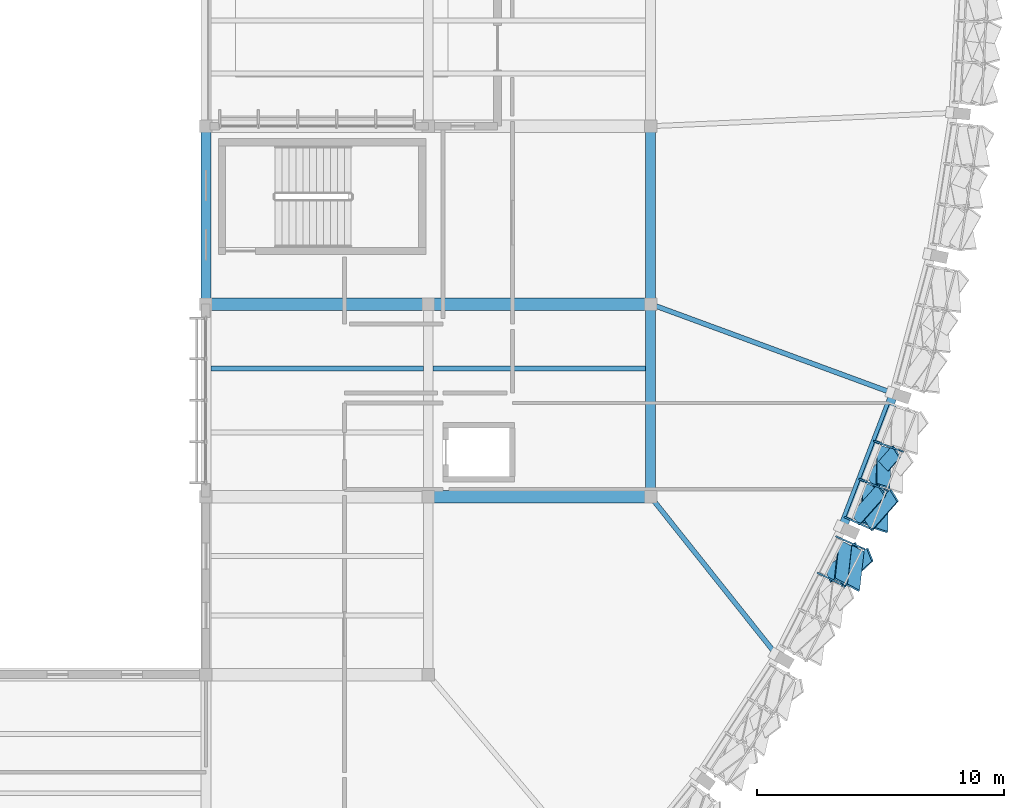
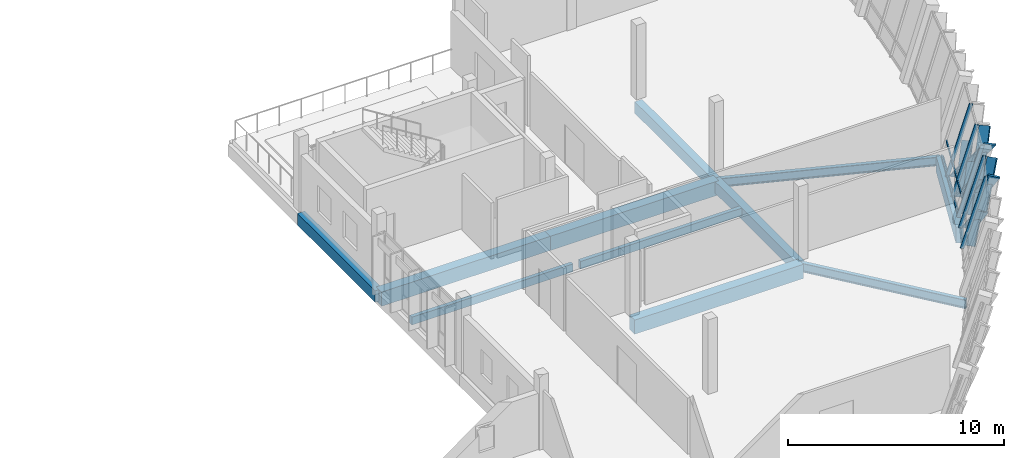
# One storey, part 11 of 24: 17 members, 11 beams, 2 elements without a shape of their own.
"""IFC4 building model written with IfcOpenShell, lengths in metres."""

from ifc_helpers import new_model, si_unit, direction, frame, origin, origin_2d, place, context, subcontext, project, spatial, rectangle, hollow_rectangle, i_section, extrude, material, material_profile, profile_set, type_object, element, aggregate, save


model = new_model("IFC4")

# Units and contexts
model_context = context("Model", 3, precision=1e-05, world=origin(), true_north=direction((0.0, 1.0)))
body_context = subcontext(model_context, "Body", "Model", "MODEL_VIEW")
ifc_project = project(units=[si_unit("LENGTHUNIT", "METRE"), si_unit("AREAUNIT", "SQUARE_METRE"), si_unit("VOLUMEUNIT", "CUBIC_METRE"), si_unit("PLANEANGLEUNIT", "RADIAN"), si_unit("MASSUNIT", "GRAM", prefix="KILO")], contexts=[model_context])

# Site, building, storey
site_placement = place(None, origin())
site = spatial("IfcSite", under=ifc_project, at=site_placement, CompositionType="ELEMENT")
building_placement = place(site_placement, origin())
building = spatial("IfcBuilding", under=site, at=building_placement, Name="Chiffa Square Polytechnic", CompositionType="ELEMENT")
storey_placement = place(building_placement, frame((0.0, 0.0, 22.199951171875)))
storey = spatial("IfcBuildingStorey", under=building, at=storey_placement, Name="L05", CompositionType="ELEMENT", Elevation=22.199951171875)

# Beams
ifc_material_1 = material(Name="Concrete C35/45", Category="concrete")
ifc_material_profile_1 = material_profile(ifc_material_1, rectangle(XDim=0.39990234375, YDim=0.64990234375, at=origin_2d()), Name="RC 400x650")
ifc_profile_set_1 = profile_set([ifc_material_profile_1], Name="Concrete C35/45")
beam_type_1 = type_object("IfcBeamType", Name="BM-RC-400X650", PredefinedType="BEAM", material=ifc_profile_set_1)
beam_1_placement = place(storey_placement, frame((148.199951171875, 43.800048828125, -0.5849609375), z_axis=(0.0, 1.0, 0.0), x_axis=(-1.0, 0.0, 0.0)))
element("IfcBeam", 1, at=beam_1_placement, inside=storey, type_object=beam_type_1, Name="Primary floor girder BM-V1-L05-Y-1482-0438", PredefinedType="BEAM", context=body_context, shape_type="SweptSolid", body=[
    extrude(rectangle(XDim=0.39990234375, YDim=0.64990234375, at=origin_2d()), origin(), (0.0, 0.0, 1.0), 7.199951171875),
])
beam_2_placement = place(storey_placement, frame((166.199951171875, 36.0, -0.5849609375), z_axis=(0.0, 1.0, 0.0), x_axis=(-1.0, 0.0, 0.0)))
element("IfcBeam", 2, at=beam_2_placement, inside=storey, type_object=beam_type_1, Name="Primary floor girder BM-V1-L05-Y-1662-0360", PredefinedType="BEAM", context=body_context, shape_type="SweptSolid", body=[
    extrude(rectangle(XDim=0.39990234375, YDim=0.64990234375, at=origin_2d()), origin(), (0.0, 0.0, 1.0), 7.800048828125),
])
beam_3_placement = place(storey_placement, frame((166.199951171875, 43.800048828125, -0.5849609375), z_axis=(0.0, 1.0, 0.0), x_axis=(-1.0, 0.0, 0.0)))
element("IfcBeam", 3, at=beam_3_placement, inside=storey, type_object=beam_type_1, Name="Primary floor girder BM-V1-L05-Y-1662-0438", PredefinedType="BEAM", context=body_context, shape_type="SweptSolid", body=[
    extrude(rectangle(XDim=0.39990234375, YDim=0.64990234375, at=origin_2d()), origin(), (0.0, 0.0, 1.0), 7.199951171875),
])
ifc_material_2 = material(Name="Concrete C40/50", Category="concrete")
ifc_material_profile_2 = material_profile(ifc_material_2, rectangle(XDim=0.5, YDim=0.800048828125, at=origin_2d()), Name="RC 500x800")
ifc_profile_set_2 = profile_set([ifc_material_profile_2], Name="Concrete C40/50")
beam_type_2 = type_object("IfcBeamType", Name="BM-RC-500X800", PredefinedType="BEAM", material=ifc_profile_set_2)
for number, where, z_axis, x_axis, name in (
    (4, (157.199951171875, 36.0, -0.659912109375), (1.0, 0.0, 0.0), (0.0, 1.0, 0.0), "Primary floor girder BM-V1-L05-X-1572-0360"),
    (5, (148.199951171875, 43.800048828125, -0.659912109375), (1.0, 0.0, 0.0), (0.0, 1.0, 0.0), "Primary floor girder BM-V1-L05-X-1482-0438"),
    (6, (157.199951171875, 43.800048828125, -0.659912109375), (1.0, 0.0, 0.0), (0.0, 1.0, 0.0), "Primary floor girder BM-V1-L05-X-1572-0438"),
):
    element("IfcBeam", number, at=place(storey_placement, frame(where, z_axis=z_axis, x_axis=x_axis)), inside=storey, type_object=beam_type_2, Name=name, PredefinedType="BEAM", context=body_context, shape_type="SweptSolid", body=[
        extrude(rectangle(XDim=0.5, YDim=0.800048828125, at=origin_2d()), origin(), (0.0, 0.0, 1.0), 9.0),
    ])
ifc_material_3 = material(Name="Steel S355", Category="steel")
ifc_material_profile_3 = material_profile(ifc_material_3, i_section(OverallWidth=0.199951171875, OverallDepth=0.5, WebThickness=0.01025390625, FlangeThickness=0.01611328125, FilletRadius=0.02099609375, at=origin_2d()), Name="IPE 500")
ifc_profile_set_3 = profile_set([ifc_material_profile_3], Name="Steel S355")
beam_type_3 = type_object("IfcBeamType", Name="BM-STL-IPE500", PredefinedType="BEAM", material=ifc_profile_set_3)
beam_4_placement = place(storey_placement, frame((171.321044921875, 29.56689453125, -0.510009765625), z_axis=(-0.622810351518, 0.782372843369, 0.0), x_axis=(-0.782372843369, -0.622810351518, 0.0)))
element("IfcBeam", 7, at=beam_4_placement, inside=storey, type_object=beam_type_3, Name="Prow radial tie girder BM-V1-RAD-L05-13", PredefinedType="BEAM", context=body_context, shape_type="SweptSolid", body=[
    extrude(i_section(OverallWidth=0.199951171875, OverallDepth=0.5, WebThickness=0.01025390625, FlangeThickness=0.01611328125, FilletRadius=0.02099609375, at=origin_2d()), origin(), (0.0, 0.0, 1.0), 8.22265625),
])
beam_5_placement = place(storey_placement, frame((176.0458984375, 40.178955078125, -0.510009765625), z_axis=(-0.938539642404, 0.345171464111, 0.0), x_axis=(-0.345171464111, -0.938539642404, 0.0)))
element("IfcBeam", 8, at=beam_5_placement, inside=storey, type_object=beam_type_3, Name="Prow radial tie girder BM-V1-RAD-L05-15", PredefinedType="BEAM", context=body_context, shape_type="SweptSolid", body=[
    extrude(i_section(OverallWidth=0.199951171875, OverallDepth=0.5, WebThickness=0.01025390625, FlangeThickness=0.01611328125, FilletRadius=0.02099609375, at=origin_2d()), origin(), (0.0, 0.0, 1.0), 10.49072265625),
])

# Curtain wall, members
ifc_material_4 = material(Name="Aluminium EN AW-6060 T66 and glulam shading", Category="wood")
curtain_wall_type_1 = type_object("IfcCurtainWallType", Name="CW-PROW-LEAN-150", PredefinedType="USERDEFINED", material=ifc_material_4)
curtain_wall_1_placement = place(storey_placement, origin())
curtain_wall_1 = element("IfcCurtainWall", 9, at=curtain_wall_1_placement, inside=storey, type_object=curtain_wall_type_1, Name="Outward-leaning diamond-fin prow curtain wall CW-V1-L05-090", ObjectType="CURTAIN WALL", PredefinedType="USERDEFINED")
ifc_material_5 = material(Name="Aluminium EN AW-6060 T66", Category="aluminium")
ifc_material_profile_4 = material_profile(ifc_material_5, hollow_rectangle(XDim=0.06494140625, YDim=0.179931640625, WallThickness=0.00390625, at=origin_2d()), Name="ALU 65x180x4")
ifc_profile_set_4 = profile_set([ifc_material_profile_4], Name="Aluminium EN AW-6060 T66")
member_type_1 = type_object("IfcMemberType", Name="CWM-ALU-75X180", PredefinedType="MULLION", material=ifc_profile_set_4)
member_1_placement = place(storey_placement, frame((173.0166015625, 32.89404296875, 0.0), z_axis=(0.244331524277, -0.119243701145, 0.962332087162), x_axis=(0.438594737394, 0.898684959443, 0.0)))
member_1 = element("IfcMember", 10, at=member_1_placement, type_object=member_type_1, Name="Leaning prow mullion CW-V1-L05-090-M02", PredefinedType="MULLION", context=body_context, shape_type="SweptSolid", body=[
    extrude(hollow_rectangle(XDim=0.06494140625, YDim=0.179931640625, WallThickness=0.00390625, at=origin_2d()), origin(), (0.0, 0.0, 1.0), 4.1357421875),
])
member_2_placement = place(storey_placement, frame((173.76708984375, 34.365966796875, 0.0), z_axis=(0.248509013983, -0.110737033309, 0.96227884702), x_axis=(0.407024024246, 0.913417453132, 0.0)))
member_2 = element("IfcMember", 11, at=member_2_placement, type_object=member_type_1, Name="Leaning prow mullion CW-V1-L05-090-M03", PredefinedType="MULLION", context=body_context, shape_type="SweptSolid", body=[
    extrude(hollow_rectangle(XDim=0.06494140625, YDim=0.179931640625, WallThickness=0.00390625, at=origin_2d()), origin(), (0.0, 0.0, 1.0), 4.135986328125),
])

curtain_wall_type_2 = type_object("IfcCurtainWallType", Name="CW-PROW-LEAN-300", PredefinedType="USERDEFINED", material=ifc_material_4)
curtain_wall_2_placement = place(storey_placement, origin())
curtain_wall_2 = element("IfcCurtainWall", 12, at=curtain_wall_2_placement, inside=storey, type_object=curtain_wall_type_2, Name="Outward-leaning diamond-fin prow curtain wall CW-V1-L05-091", ObjectType="CURTAIN WALL", PredefinedType="USERDEFINED")
member_3_placement = place(storey_placement, frame((174.115966796875, 35.14990234375, 0.0), z_axis=(0.248564395641, -0.110735408744, 0.962264729931), x_axis=(0.406943375236, 0.913453386524, 0.0)))
member_3 = element("IfcMember", 13, at=member_3_placement, type_object=member_type_1, Name="Leaning prow mullion CW-V1-L05-091-M00", PredefinedType="MULLION", context=body_context, shape_type="SweptSolid", body=[
    extrude(hollow_rectangle(XDim=0.06494140625, YDim=0.179931640625, WallThickness=0.00390625, at=origin_2d()), origin(), (0.0, 0.0, 1.0), 4.135986328125),
])
member_4_placement = place(storey_placement, frame((174.7080078125, 36.692626953125, 0.0), z_axis=(0.252009261313, -0.101889900451, 0.962345977494), x_axis=(0.374832862289, 0.927092403889, 0.0)))
member_4 = element("IfcMember", 14, at=member_4_placement, type_object=member_type_1, Name="Leaning prow mullion CW-V1-L05-091-M01", PredefinedType="MULLION", context=body_context, shape_type="SweptSolid", body=[
    extrude(hollow_rectangle(XDim=0.06494140625, YDim=0.179931640625, WallThickness=0.00390625, at=origin_2d()), origin(), (0.0, 0.0, 1.0), 4.1357421875),
])
member_5_placement = place(storey_placement, frame((175.300048828125, 38.2353515625, 0.0), z_axis=(0.255486864537, -0.093033109637, 0.9623259856), x_axis=(0.342161396933, 0.939641196654, 0.0)))
member_5 = element("IfcMember", 15, at=member_5_placement, type_object=member_type_1, Name="Leaning prow mullion CW-V1-L05-091-M02", PredefinedType="MULLION", context=body_context, shape_type="SweptSolid", body=[
    extrude(hollow_rectangle(XDim=0.06494140625, YDim=0.179931640625, WallThickness=0.00390625, at=origin_2d()), origin(), (0.0, 0.0, 1.0), 4.1357421875),
])

# Member
ifc_material_6 = material(Name="Glulam GL28h", Category="wood")
ifc_material_profile_5 = material_profile(ifc_material_6, rectangle(XDim=0.080078125, YDim=0.580078125, at=origin_2d()), Name="GL28h 80x580")
ifc_profile_set_5 = profile_set([ifc_material_profile_5], Name="Glulam GL28h")
member_type_2 = type_object("IfcMemberType", Name="CWM-GL-80X580", PredefinedType="MULLION", material=ifc_profile_set_5)
member_6_placement = place(storey_placement, frame((173.402099609375, 32.800048828125, 0.0400390625), z_axis=(0.46464029966, 0.430538259318, 0.773786921055), x_axis=(-0.814285956484, -0.135594791204, 0.56440449473)))
member_6 = element("IfcMember", 16, at=member_6_placement, type_object=member_type_2, Name="Diamond glulam fin CW-V1-L05-090-DF05A", PredefinedType="MULLION", context=body_context, shape_type="SweptSolid", body=[
    extrude(rectangle(XDim=0.080078125, YDim=0.580078125, at=origin_2d()), origin(), (0.0, 0.0, 1.0), 2.52001953125),
])

member_7_placement = place(storey_placement, frame((174.070068359375, 34.110107421875, 0.0400390625), z_axis=(-0.068915975737, -0.621025806887, 0.780754465545), x_axis=(0.527947637077, 0.641340609061, 0.55673469056)))
member_7 = element("IfcMember", 17, at=member_7_placement, type_object=member_type_2, Name="Diamond glulam fin CW-V1-L05-090-DF05B", PredefinedType="MULLION", context=body_context, shape_type="SweptSolid", body=[
    extrude(rectangle(XDim=0.080078125, YDim=0.580078125, at=origin_2d()), origin(), (0.0, 0.0, 1.0), 2.49755859375),
])

member_8_placement = place(storey_placement, frame((173.89794921875, 32.55908203125, 1.989990234375), z_axis=(0.46565069133, 0.434768158433, 0.770808719513), x_axis=(-0.811826294224, -0.136870870807, 0.567630542458)))
member_8 = element("IfcMember", 18, at=member_8_placement, type_object=member_type_2, Name="Diamond glulam fin CW-V1-L05-090-DF06A", PredefinedType="MULLION", context=body_context, shape_type="SweptSolid", body=[
    extrude(rectangle(XDim=0.080078125, YDim=0.580078125, at=origin_2d()), origin(), (0.0, 0.0, 1.0), 2.52978515625),
])

member_9_placement = place(storey_placement, frame((174.572998046875, 33.885009765625, 1.989990234375), z_axis=(-0.071744336261, -0.624769538839, 0.777506124448), x_axis=(0.530059335623, 0.636447240222, 0.560332054351)))
member_9 = element("IfcMember", 19, at=member_9_placement, type_object=member_type_2, Name="Diamond glulam fin CW-V1-L05-090-DF06B", PredefinedType="MULLION", context=body_context, shape_type="SweptSolid", body=[
    extrude(rectangle(XDim=0.080078125, YDim=0.580078125, at=origin_2d()), origin(), (0.0, 0.0, 1.0), 2.508056640625),
])

aggregate(curtain_wall_1, [member_1, member_2, member_6, member_7, member_8, member_9])

member_10_placement = place(storey_placement, frame((174.509033203125, 35.095947265625, 0.0400390625), z_axis=(0.415178385828, 0.466892387736, 0.780793446576), x_axis=(-0.752184357661, -0.306578368374, 0.583291004675)))
member_10 = element("IfcMember", 20, at=member_10_placement, type_object=member_type_2, Name="Diamond glulam fin CW-V1-L05-091-DF01A", PredefinedType="MULLION", context=body_context, shape_type="SweptSolid", body=[
    extrude(rectangle(XDim=0.080078125, YDim=0.580078125, at=origin_2d()), origin(), (0.0, 0.0, 1.0), 2.497314453125),
])

member_11_placement = place(storey_placement, frame((175.035888671875, 36.468994140625, 0.0400390625), z_axis=(-0.009107202908, -0.633338142664, 0.773821591778), x_axis=(0.368718070023, 0.717197327976, 0.591333220428)))
member_11 = element("IfcMember", 21, at=member_11_placement, type_object=member_type_2, Name="Diamond glulam fin CW-V1-L05-091-DF01B", PredefinedType="MULLION", context=body_context, shape_type="SweptSolid", body=[
    extrude(rectangle(XDim=0.080078125, YDim=0.580078125, at=origin_2d()), origin(), (0.0, 0.0, 1.0), 2.52001953125),
])

member_12_placement = place(storey_placement, frame((175.012939453125, 34.873046875, 1.989990234375), z_axis=(0.416358297586, 0.470983415675, 0.777701993176), x_axis=(-0.749373811197, -0.30661253253, 0.58687958389)))
member_12 = element("IfcMember", 22, at=member_12_placement, type_object=member_type_2, Name="Diamond glulam fin CW-V1-L05-091-DF02A", PredefinedType="MULLION", context=body_context, shape_type="SweptSolid", body=[
    extrude(rectangle(XDim=0.080078125, YDim=0.580078125, at=origin_2d()), origin(), (0.0, 0.0, 1.0), 2.50732421875),
])

member_13_placement = place(storey_placement, frame((175.5458984375, 36.261962890625, 1.989990234375), z_axis=(-0.011383125799, -0.637358577588, 0.770483269138), x_axis=(0.371155491374, 0.712794030409, 0.595120383986)))
member_13 = element("IfcMember", 23, at=member_13_placement, type_object=member_type_2, Name="Diamond glulam fin CW-V1-L05-091-DF02B", PredefinedType="MULLION", context=body_context, shape_type="SweptSolid", body=[
    extrude(rectangle(XDim=0.080078125, YDim=0.580078125, at=origin_2d()), origin(), (0.0, 0.0, 1.0), 2.53076171875),
])

member_14_placement = place(storey_placement, frame((175.10107421875, 36.638916015625, 0.0400390625), z_axis=(0.416431736721, 0.471891103528, 0.777112215232), x_axis=(-0.748743130061, -0.306849884379, 0.587560102154)))
member_14 = element("IfcMember", 24, at=member_14_placement, type_object=member_type_2, Name="Diamond glulam fin CW-V1-L05-091-DF03A", PredefinedType="MULLION", context=body_context, shape_type="SweptSolid", body=[
    extrude(rectangle(XDim=0.080078125, YDim=0.580078125, at=origin_2d()), origin(), (0.0, 0.0, 1.0), 2.50927734375),
])

member_15_placement = place(storey_placement, frame((175.6279296875, 38.011962890625, 0.0400390625), z_axis=(-0.006326299583, -0.629028833931, 0.777356227233), x_axis=(0.365648250226, 0.722083844636, 0.587278705916)))
member_15 = element("IfcMember", 25, at=member_15_placement, type_object=member_type_2, Name="Diamond glulam fin CW-V1-L05-091-DF03B", PredefinedType="MULLION", context=body_context, shape_type="SweptSolid", body=[
    extrude(rectangle(XDim=0.080078125, YDim=0.580078125, at=origin_2d()), origin(), (0.0, 0.0, 1.0), 2.508544921875),
])

ifc_material_profile_6 = material_profile(ifc_material_5, hollow_rectangle(XDim=0.06494140625, YDim=0.139892578125, WallThickness=0.00390625, at=origin_2d()), Name="ALU 65x140x4")
ifc_profile_set_6 = profile_set([ifc_material_profile_6], Name="Aluminium EN AW-6060 T66")
member_type_3 = type_object("IfcMemberType", Name="CWT-ALU-75X140", PredefinedType="USERDEFINED", material=ifc_profile_set_6)
member_16_placement = place(storey_placement, frame((174.126220703125, 35.1455078125, 0.0400390625), z_axis=(0.358322367244, 0.933597922626, 0.0), x_axis=(-0.933597922626, 0.358322367244, 0.0)))
member_16 = element("IfcMember", 26, at=member_16_placement, type_object=member_type_3, Name="Leaning prow transom CW-V1-L05-091-T01", ObjectType="TRANSOM", PredefinedType="USERDEFINED", context=body_context, shape_type="SweptSolid", body=[
    extrude(hollow_rectangle(XDim=0.06494140625, YDim=0.139892578125, WallThickness=0.00390625, at=origin_2d()), origin(), (0.0, 0.0, 1.0), 4.958251953125),
])

member_17_placement = place(storey_placement, frame((174.33544921875, 35.05224609375, 0.85009765625), z_axis=(0.35830911233, 0.933603009861, 0.0), x_axis=(-0.933603009861, 0.35830911233, 0.0)))
member_17 = element("IfcMember", 27, at=member_17_placement, type_object=member_type_3, Name="Leaning prow transom CW-V1-L05-091-T02", ObjectType="TRANSOM", PredefinedType="USERDEFINED", context=body_context, shape_type="SweptSolid", body=[
    extrude(hollow_rectangle(XDim=0.06494140625, YDim=0.139892578125, WallThickness=0.00390625, at=origin_2d()), origin(), (0.0, 0.0, 1.0), 4.982177734375),
])

aggregate(curtain_wall_2, [member_3, member_4, member_5, member_16, member_17, member_10, member_11, member_12, member_13, member_14, member_15])

# Beams
ifc_material_profile_7 = material_profile(ifc_material_6, rectangle(XDim=0.199951171875, YDim=0.43994140625, at=origin_2d()), Name="GL28h 200x440")
ifc_profile_set_7 = profile_set([ifc_material_profile_7], Name="Glulam GL28h")
beam_type_4 = type_object("IfcBeamType", Name="JST-GL-200X440", PredefinedType="JOIST", material=ifc_profile_set_7)
for number, where, z_axis, x_axis, name in (
    (28, (148.39794921875, 41.199951171875, -0.47998046875), (1.0, 0.0, 0.0), (0.0, 1.0, 0.0), "Secondary floor joist JST-V1-L05-1482-0412"),
    (29, (157.39794921875, 41.199951171875, -0.47998046875), (1.0, 0.0, 0.0), (0.0, 1.0, 0.0), "Secondary floor joist JST-V1-L05-1572-0412"),
):
    element("IfcBeam", number, at=place(storey_placement, frame(where, z_axis=z_axis, x_axis=x_axis)), inside=storey, type_object=beam_type_4, Name=name, PredefinedType="JOIST", context=body_context, shape_type="SweptSolid", body=[
        extrude(rectangle(XDim=0.199951171875, YDim=0.43994140625, at=origin_2d()), origin(), (0.0, 0.0, 1.0), 8.60400390625),
    ])
ifc_material_7 = material(Name="Glulam GL32c", Category="wood")
ifc_material_profile_8 = material_profile(ifc_material_7, rectangle(XDim=0.360107421875, YDim=0.89990234375, at=origin_2d()), Name="GL32c 360x900")
ifc_profile_set_8 = profile_set([ifc_material_profile_8], Name="Glulam GL32c")
beam_type_5 = type_object("IfcBeamType", Name="RB-GL-360X900", PredefinedType="SPANDREL", material=ifc_profile_set_8)
beam_6_placement = place(storey_placement, frame((173.9619140625, 34.7490234375, -0.7099609375), z_axis=(0.358312338596, 0.93360177164, 0.0), x_axis=(-0.93360177164, 0.358312338596, 0.0)))
element("IfcBeam", 30, at=beam_6_placement, inside=storey, type_object=beam_type_5, Name="Prow perimeter edge beam RB-V1-PROW-L05-14", PredefinedType="SPANDREL", context=body_context, shape_type="SweptSolid", body=[
    extrude(rectangle(XDim=0.360107421875, YDim=0.89990234375, at=origin_2d()), origin(), (0.0, 0.0, 1.0), 5.816162109375),
])

save(model, "model.ifc")
